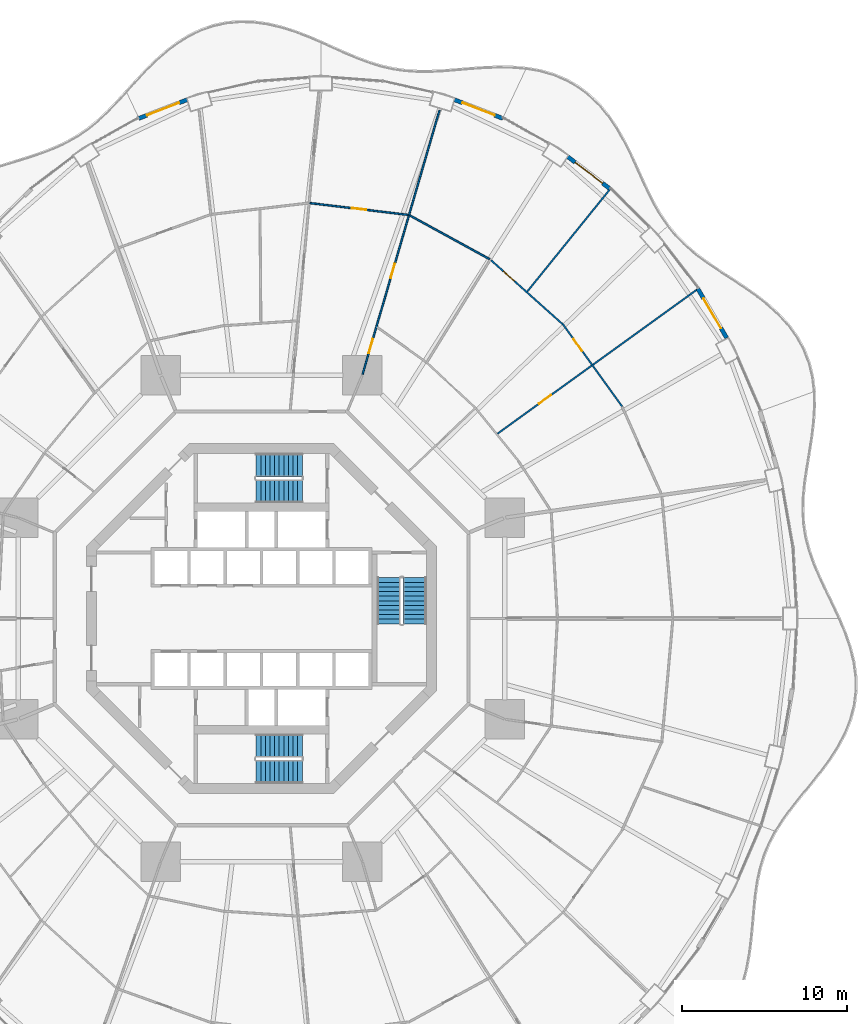
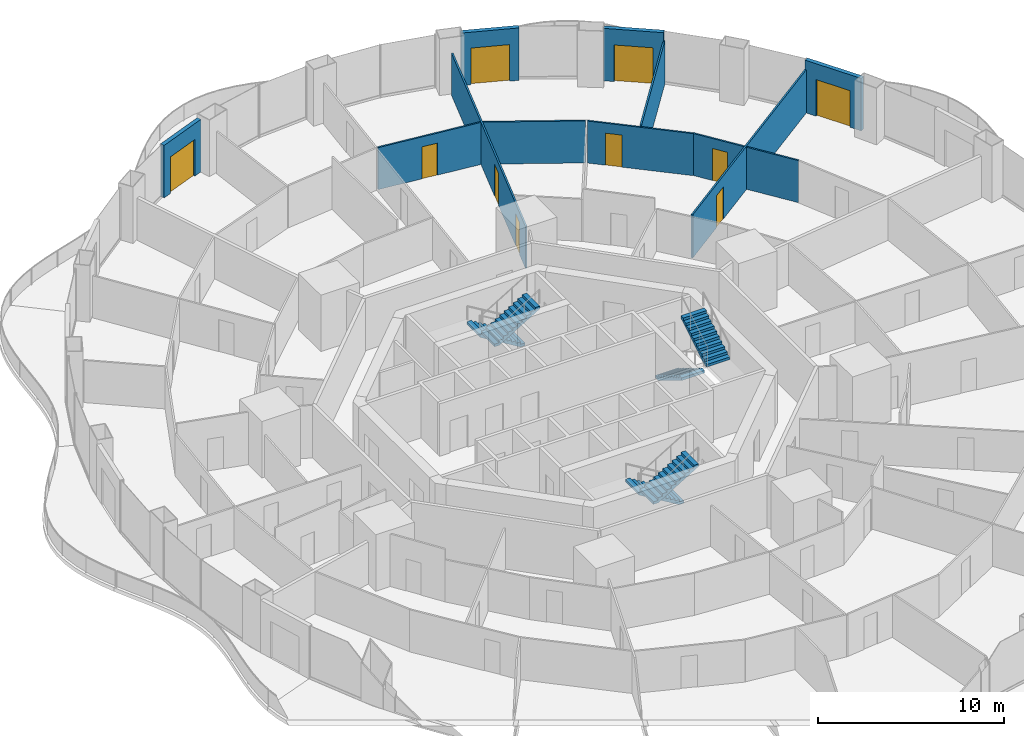
# One storey, part 18 of 21: 11 walls, 10 doors, 6 stair flights, 10 openings, 3 elements without a shape of their own.
"""IFC4 building model written with IfcOpenShell, lengths in metres."""

from ifc_helpers import new_model, si_unit, direction, frame, frame_2d, origin, place, context, subcontext, project, spatial, polyline, rectangle, outline, extrude, material, layer, layer_set, type_object, element, fill, aggregate, save


model = new_model("IFC4")

# Units and contexts
model_context = context("Model", 3, precision=1e-05, world=origin(), true_north=direction((0.0, 1.0)))
body_context = subcontext(model_context, "Body", "Model", "MODEL_VIEW")
ifc_project = project(units=[si_unit("LENGTHUNIT", "METRE"), si_unit("AREAUNIT", "SQUARE_METRE"), si_unit("VOLUMEUNIT", "CUBIC_METRE"), si_unit("PLANEANGLEUNIT", "RADIAN"), si_unit("MASSUNIT", "GRAM", prefix="KILO")], contexts=[model_context])

# Site, building, storey
site_placement = place(None, origin())
site = spatial("IfcSite", under=ifc_project, at=site_placement, CompositionType="ELEMENT")
building_placement = place(site_placement, origin())
building = spatial("IfcBuilding", under=site, at=building_placement, Name="Nagisa Residences", CompositionType="ELEMENT")
storey_placement = place(building_placement, frame((0.0, 0.0, 60.300048828125)))
storey = spatial("IfcBuildingStorey", under=building, at=storey_placement, Name="L14", CompositionType="ELEMENT", Elevation=60.300048828125)

# Wall, opening, door
ifc_material_1 = material(Name="Gypsum board on steel studs", Category="steel")
ifc_layer_1 = layer(ifc_material_1, 0.10009765625)
ifc_layer_set_1 = layer_set([ifc_layer_1], Name="Apartment partition 100")
wall_type_1 = type_object("IfcWallType", Name="Apartment partition 100", PredefinedType="PARTITIONING", material=ifc_layer_set_1)
wall_1_placement = place(storey_placement, frame((21.90771484375, 12.866455078125, 0.0), z_axis=(0.0, 0.0, 1.0), x_axis=(-0.584553256988, 0.811355341231, 0.0)))
wall_1 = element("IfcWall", 1, at=wall_1_placement, inside=storey, type_object=wall_type_1, Name="wall:L14:u22", PredefinedType="PARTITIONING", context=body_context, shape_type="SweptSolid", body=[
    extrude(rectangle(XDim=6.18408203125, YDim=0.10009765625, at=frame_2d((3.092041015625, 0.0))), origin(), (0.0, 0.0, 1.0), 2.755859375),
])
opening_1_placement = place(wall_1_placement, frame((4.163330078125, 0.0, 0.0)))
opening_1 = element("IfcOpeningElement", 2, at=opening_1_placement, cuts=wall_1, Name="Opening L14-U34", PredefinedType="OPENING", context=body_context, shape_type="SweptSolid", body=[
    extrude(rectangle(XDim=0.89990234375, YDim=2.10009765625, at=frame_2d((0.449951171875, 1.050048828125))), frame((0.0, 0.06005859375, 0.0), z_axis=(0.0, -1.0, 0.0), x_axis=(1.0, 0.0, 0.0)), (0.0, 0.0, 1.0), 0.1201171875),
])
ifc_material_2 = material(Name="Timber door set", Category="wood")
door_type_1 = type_object("IfcDoorType", Name="Apartment door 900x2100", OperationType="NOTDEFINED", PredefinedType="DOOR", material=ifc_material_2)
door_1_placement = place(opening_1_placement, frame((0.89990234375, 0.0, 0.0), x_axis=(-1.0, 0.0, 0.0)))
door_1 = element("IfcDoor", 3, at=door_1_placement, inside=storey, type_object=door_type_1, Name="Door to master bedroom, Apartment 14B", OperationType="SINGLE_SWING_LEFT", OverallHeight=2.10009765625, OverallWidth=0.89990234375, PredefinedType="DOOR", context=body_context, shape_type="SweptSolid", body=[
    extrude(rectangle(XDim=0.89990234375, YDim=2.10009765625, at=frame_2d((0.449951171875, 1.050048828125))), frame((0.0, 0.02490234375, 0.0), z_axis=(0.0, -1.0, 0.0), x_axis=(1.0, 0.0, 0.0)), (0.0, 0.0, 1.0), 0.050048828125),
])
fill(opening_1, door_1)

wall_2_placement = place(storey_placement, frame((14.328857421875, 11.22119140625, 0.0), z_axis=(0.0, 0.0, 1.0), x_axis=(0.810671130917, 0.58550176558, 0.0)))
wall_2 = element("IfcWall", 4, at=wall_2_placement, inside=storey, type_object=wall_type_1, Name="wall:L14:u23", PredefinedType="PARTITIONING", context=body_context, shape_type="SweptSolid", body=[
    extrude(rectangle(XDim=15.105712890625, YDim=0.10009765625, at=frame_2d((7.552734375, 0.0))), origin(), (0.0, 0.0, 1.0), 2.8369140625),
])
opening_2_placement = place(wall_2_placement, frame((3.10546875, 0.0, 0.0)))
opening_2 = element("IfcOpeningElement", 5, at=opening_2_placement, cuts=wall_2, Name="Opening L14-U40", PredefinedType="OPENING", context=body_context, shape_type="SweptSolid", body=[
    extrude(rectangle(XDim=0.89990234375, YDim=2.10009765625, at=frame_2d((0.449951171875, 1.050048828125))), frame((0.0, 0.06005859375, 0.0), z_axis=(0.0, -1.0, 0.0), x_axis=(1.0, 0.0, 0.0)), (0.0, 0.0, 1.0), 0.1201171875),
])
door_2_placement = place(opening_2_placement, frame((0.89990234375, 0.0, 0.0), x_axis=(-1.0, 0.0, 0.0)))
door_2 = element("IfcDoor", 6, at=door_2_placement, inside=storey, type_object=door_type_1, Name="Door to dining room, Apartment 14B", OperationType="SINGLE_SWING_LEFT", OverallHeight=2.10009765625, OverallWidth=0.89990234375, PredefinedType="DOOR", context=body_context, shape_type="SweptSolid", body=[
    extrude(rectangle(XDim=0.89990234375, YDim=2.10009765625, at=frame_2d((0.449951171875, 1.050048828125))), frame((0.0, 0.02490234375, 0.0), z_axis=(0.0, -1.0, 0.0), x_axis=(1.0, 0.0, 0.0)), (0.0, 0.0, 1.0), 0.050048828125),
])
fill(opening_2, door_2)

wall_3_placement = place(storey_placement, frame((18.28466796875, 17.876953125, 0.0), z_axis=(0.0, 0.0, 1.0), x_axis=(-0.745806142791, 0.666163041136, 0.0)))
wall_3 = element("IfcWall", 7, at=wall_3_placement, inside=storey, type_object=wall_type_1, Name="wall:L14:u26", PredefinedType="PARTITIONING", context=body_context, shape_type="SweptSolid", body=[
    extrude(rectangle(XDim=5.83056640625, YDim=0.10009765625, at=frame_2d((2.915283203125, 0.0))), origin(), (0.0, 0.0, 1.0), 2.755859375),
])
opening_3_placement = place(wall_3_placement, frame((3.9228515625, 0.0, 0.0)))
opening_3 = element("IfcOpeningElement", 8, at=opening_3_placement, cuts=wall_3, Name="Opening L14-U35", PredefinedType="OPENING", context=body_context, shape_type="SweptSolid", body=[
    extrude(rectangle(XDim=0.89990234375, YDim=2.10009765625, at=frame_2d((0.449951171875, 1.050048828125))), frame((0.0, 0.06005859375, 0.0), z_axis=(0.0, -1.0, 0.0), x_axis=(1.0, 0.0, 0.0)), (0.0, 0.0, 1.0), 0.1201171875),
])
door_3_placement = place(opening_3_placement, frame((0.89990234375, 0.0, 0.0), x_axis=(-1.0, 0.0, 0.0)))
door_3 = element("IfcDoor", 9, at=door_3_placement, inside=storey, type_object=door_type_1, Name="Door to family room, Apartment 14B", OperationType="SINGLE_SWING_RIGHT", OverallHeight=2.10009765625, OverallWidth=0.89990234375, PredefinedType="DOOR", context=body_context, shape_type="SweptSolid", body=[
    extrude(rectangle(XDim=0.89990234375, YDim=2.10009765625, at=frame_2d((0.449951171875, 1.050048828125))), frame((0.0, 0.02490234375, 0.0), z_axis=(0.0, -1.0, 0.0), x_axis=(1.0, 0.0, 0.0)), (0.0, 0.0, 1.0), 0.050048828125),
])
fill(opening_3, door_3)

# Walls
wall_4_placement = place(storey_placement, frame((16.141845703125, 19.85791015625, 0.0), z_axis=(0.0, 0.0, 1.0), x_axis=(0.628738066508, 0.777617157555, 0.0)))
element("IfcWall", 10, at=wall_4_placement, inside=storey, type_object=wall_type_1, Name="wall:L14:u27", PredefinedType="PARTITIONING", context=body_context, shape_type="SweptSolid", body=[
    extrude(rectangle(XDim=8.091064453125, YDim=0.10009765625, at=frame_2d((4.04541015625, 0.0))), origin(), (0.0, 0.0, 1.0), 2.8369140625),
])
wall_5_placement = place(storey_placement, frame((13.85498046875, 21.818359375, 0.0), z_axis=(0.0, 0.0, 1.0), x_axis=(-0.876794415294, 0.480865421203, 0.0)))
element("IfcWall", 11, at=wall_5_placement, inside=storey, type_object=wall_type_1, Name="wall:L14:u30", PredefinedType="PARTITIONING", context=body_context, shape_type="SweptSolid", body=[
    extrude(rectangle(XDim=5.5361328125, YDim=0.10009765625, at=frame_2d((2.76806640625, 0.0))), origin(), (0.0, 0.0, 1.0), 2.755859375),
])

# Wall, openings, doors
wall_6_placement = place(storey_placement, frame((6.136962890625, 14.830078125, 0.0), z_axis=(0.0, 0.0, 1.0), x_axis=(0.27985745069, 0.960041565399, 0.0)))
wall_6 = element("IfcWall", 12, at=wall_6_placement, inside=storey, type_object=wall_type_1, Name="wall:L14:u32", PredefinedType="PARTITIONING", context=body_context, shape_type="SweptSolid", body=[
    extrude(rectangle(XDim=16.705078125, YDim=0.10009765625, at=frame_2d((8.3525390625, 0.0))), origin(), (0.0, 0.0, 1.0), 2.755859375),
])
opening_4_placement = place(wall_6_placement, frame((1.333740234375, 0.0, 0.0)))
opening_4 = element("IfcOpeningElement", 13, at=opening_4_placement, cuts=wall_6, Name="Opening L14-U28", PredefinedType="OPENING", context=body_context, shape_type="SweptSolid", body=[
    extrude(rectangle(XDim=0.89990234375, YDim=2.10009765625, at=frame_2d((0.449951171875, 1.050048828125))), frame((0.0, 0.06005859375, 0.0), z_axis=(0.0, -1.0, 0.0), x_axis=(1.0, 0.0, 0.0)), (0.0, 0.0, 1.0), 0.1201171875),
])
opening_5_placement = place(wall_6_placement, frame((6.09130859375, 0.0, 0.0)))
opening_5 = element("IfcOpeningElement", 14, at=opening_5_placement, cuts=wall_6, Name="Opening L14-U31", PredefinedType="OPENING", context=body_context, shape_type="SweptSolid", body=[
    extrude(rectangle(XDim=0.89990234375, YDim=2.10009765625, at=frame_2d((0.449951171875, 1.050048828125))), frame((0.0, 0.06005859375, 0.0), z_axis=(0.0, -1.0, 0.0), x_axis=(1.0, 0.0, 0.0)), (0.0, 0.0, 1.0), 0.1201171875),
])
door_4_placement = place(opening_4_placement, frame((0.89990234375, 0.0, 0.0), x_axis=(-1.0, 0.0, 0.0)))
door_4 = element("IfcDoor", 15, at=door_4_placement, inside=storey, type_object=door_type_1, Name="Door to laundry, Apartment 14B", OperationType="SINGLE_SWING_LEFT", OverallHeight=2.10009765625, OverallWidth=0.89990234375, PredefinedType="DOOR", context=body_context, shape_type="SweptSolid", body=[
    extrude(rectangle(XDim=0.89990234375, YDim=2.10009765625, at=frame_2d((0.449951171875, 1.050048828125))), frame((0.0, 0.02490234375, 0.0), z_axis=(0.0, -1.0, 0.0), x_axis=(1.0, 0.0, 0.0)), (0.0, 0.0, 1.0), 0.050048828125),
])
fill(opening_4, door_4)
door_5_placement = place(opening_5_placement, frame((0.89990234375, 0.0, 0.0), x_axis=(-1.0, 0.0, 0.0)))
door_5 = element("IfcDoor", 16, at=door_5_placement, inside=storey, type_object=door_type_1, Name="Door to kitchen, Apartment 14B", OperationType="SINGLE_SWING_RIGHT", OverallHeight=2.10009765625, OverallWidth=0.89990234375, PredefinedType="DOOR", context=body_context, shape_type="SweptSolid", body=[
    extrude(rectangle(XDim=0.89990234375, YDim=2.10009765625, at=frame_2d((0.449951171875, 1.050048828125))), frame((0.0, 0.02490234375, 0.0), z_axis=(0.0, -1.0, 0.0), x_axis=(1.0, 0.0, 0.0)), (0.0, 0.0, 1.0), 0.050048828125),
])
fill(opening_5, door_5)

# Wall, opening, door
wall_7_placement = place(storey_placement, frame((8.907470703125, 24.510498046875, 0.0), z_axis=(0.0, 0.0, 1.0), x_axis=(-0.992836798252, 0.119478416615, 0.0)))
wall_7 = element("IfcWall", 17, at=wall_7_placement, inside=storey, type_object=wall_type_1, Name="wall:L14:u33", PredefinedType="PARTITIONING", context=body_context, shape_type="SweptSolid", body=[
    extrude(rectangle(XDim=6.009521484375, YDim=0.10009765625, at=frame_2d((3.0048828125, 0.0))), origin(), (0.0, 0.0, 1.0), 2.755859375),
])
opening_6_placement = place(wall_7_placement, frame((2.5546875, 0.0, 0.0)))
opening_6 = element("IfcOpeningElement", 18, at=opening_6_placement, cuts=wall_7, Name="Opening L14-U36", PredefinedType="OPENING", context=body_context, shape_type="SweptSolid", body=[
    extrude(rectangle(XDim=0.89990234375, YDim=2.10009765625, at=frame_2d((0.449951171875, 1.050048828125))), frame((0.0, 0.06005859375, 0.0), z_axis=(0.0, -1.0, 0.0), x_axis=(1.0, 0.0, 0.0)), (0.0, 0.0, 1.0), 0.1201171875),
])
door_6_placement = place(opening_6_placement, frame((0.89990234375, 0.0, 0.0), x_axis=(-1.0, 0.0, 0.0)))
door_6 = element("IfcDoor", 19, at=door_6_placement, inside=storey, type_object=door_type_1, Name="Door to living room, Apartment 14B", OperationType="SINGLE_SWING_LEFT", OverallHeight=2.10009765625, OverallWidth=0.89990234375, PredefinedType="DOOR", context=body_context, shape_type="SweptSolid", body=[
    extrude(rectangle(XDim=0.89990234375, YDim=2.10009765625, at=frame_2d((0.449951171875, 1.050048828125))), frame((0.0, 0.02490234375, 0.0), z_axis=(0.0, -1.0, 0.0), x_axis=(1.0, 0.0, 0.0)), (0.0, 0.0, 1.0), 0.050048828125),
])
fill(opening_6, door_6)

ifc_material_3 = material(Name="Precast concrete C40/50", Category="concrete")
ifc_layer_2 = layer(ifc_material_3, 0.25)
ifc_layer_set_2 = layer_set([ifc_layer_2], Name="BALCONY DOOR WALL 250")
wall_type_2 = type_object("IfcWallType", Name="BALCONY DOOR WALL 250", PredefinedType="SOLIDWALL", material=ifc_layer_set_2)
wall_8_placement = place(storey_placement, frame((26.49951171875, 20.02587890625, 0.0), z_axis=(0.0, 0.0, 1.0), x_axis=(0.506311160839, -0.862350861546, 0.0)))
wall_8 = element("IfcWall", 20, at=wall_8_placement, inside=storey, type_object=wall_type_2, Name="wall:L14:bay04", PredefinedType="SOLIDWALL", context=body_context, shape_type="SweptSolid", body=[
    extrude(rectangle(XDim=3.462158203125, YDim=0.25, at=frame_2d((1.73095703125, 0.0))), origin(), (0.0, 0.0, 1.0), 3.43994140625),
])
opening_7_placement = place(wall_8_placement, frame((0.68115234375, 0.0, 0.0)))
opening_7 = element("IfcOpeningElement", 21, at=opening_7_placement, cuts=wall_8, Name="Opening BD-L14-02", PredefinedType="OPENING", context=body_context, shape_type="SweptSolid", body=[
    extrude(rectangle(XDim=2.10009765625, YDim=2.39990234375, at=frame_2d((1.050048828125, 1.199951171875))), frame((0.0, 0.135009765625, 0.0), z_axis=(0.0, -1.0, 0.0), x_axis=(1.0, 0.0, 0.0)), (0.0, 0.0, 1.0), 0.27001953125),
])
ifc_material_4 = material(Name="Aluminium and clear glass", Category="aluminium")
door_type_2 = type_object("IfcDoorType", Name="BALCONY SLIDING DOOR 2100x2400", OperationType="SLIDING_TO_LEFT", PredefinedType="DOOR", material=ifc_material_4)
door_7_placement = place(opening_7_placement, origin())
door_7 = element("IfcDoor", 22, at=door_7_placement, inside=storey, type_object=door_type_2, Name="door:L14:bay04", OperationType="SLIDING_TO_LEFT", OverallHeight=2.39990234375, OverallWidth=2.10009765625, PredefinedType="DOOR", context=body_context, shape_type="SweptSolid", body=[
    extrude(rectangle(XDim=2.10009765625, YDim=2.39990234375, at=frame_2d((1.050048828125, 1.199951171875))), frame((0.0, 0.02490234375, 0.0), z_axis=(0.0, -1.0, 0.0), x_axis=(1.0, 0.0, 0.0)), (0.0, 0.0, 1.0), 0.050048828125),
])
fill(opening_7, door_7)

wall_9_placement = place(storey_placement, frame((18.58154296875, 28.0556640625, 0.0), z_axis=(0.0, 0.0, 1.0), x_axis=(0.796022293214, -0.605267303517, 0.0)))
wall_9 = element("IfcWall", 23, at=wall_9_placement, inside=storey, type_object=wall_type_2, Name="wall:L14:bay07", PredefinedType="SOLIDWALL", context=body_context, shape_type="SweptSolid", body=[
    extrude(rectangle(XDim=3.262451171875, YDim=0.25, at=frame_2d((1.63134765625, 0.0))), origin(), (0.0, 0.0, 1.0), 3.43994140625),
])
opening_8_placement = place(wall_9_placement, frame((0.5810546875, 0.0, 0.0)))
opening_8 = element("IfcOpeningElement", 24, at=opening_8_placement, cuts=wall_9, Name="Opening BD-L14-03", PredefinedType="OPENING", context=body_context, shape_type="SweptSolid", body=[
    extrude(rectangle(XDim=2.10009765625, YDim=2.39990234375, at=frame_2d((1.050048828125, 1.199951171875))), frame((0.0, 0.135009765625, 0.0), z_axis=(0.0, -1.0, 0.0), x_axis=(1.0, 0.0, 0.0)), (0.0, 0.0, 1.0), 0.27001953125),
])
door_8_placement = place(opening_8_placement, origin())
door_8 = element("IfcDoor", 25, at=door_8_placement, inside=storey, type_object=door_type_2, Name="door:L14:bay07", OperationType="SLIDING_TO_LEFT", OverallHeight=2.39990234375, OverallWidth=2.10009765625, PredefinedType="DOOR", context=body_context, shape_type="SweptSolid", body=[
    extrude(rectangle(XDim=2.10009765625, YDim=2.39990234375, at=frame_2d((1.050048828125, 1.199951171875))), frame((0.0, 0.02490234375, 0.0), z_axis=(0.0, -1.0, 0.0), x_axis=(1.0, 0.0, 0.0)), (0.0, 0.0, 1.0), 0.050048828125),
])
fill(opening_8, door_8)

wall_10_placement = place(storey_placement, frame((11.713623046875, 31.5068359375, 0.0), z_axis=(0.0, 0.0, 1.0), x_axis=(0.932809381943, -0.360370166577, 0.0)))
wall_10 = element("IfcWall", 26, at=wall_10_placement, inside=storey, type_object=wall_type_2, Name="wall:L14:bay09", PredefinedType="SOLIDWALL", context=body_context, shape_type="SweptSolid", body=[
    extrude(rectangle(XDim=3.15087890625, YDim=0.25, at=frame_2d((1.575439453125, 0.0))), origin(), (0.0, 0.0, 1.0), 3.43994140625),
])
opening_9_placement = place(wall_10_placement, frame((0.525390625, 0.0, 0.0)))
opening_9 = element("IfcOpeningElement", 27, at=opening_9_placement, cuts=wall_10, Name="Opening BD-L14-04", PredefinedType="OPENING", context=body_context, shape_type="SweptSolid", body=[
    extrude(rectangle(XDim=2.10009765625, YDim=2.39990234375, at=frame_2d((1.050048828125, 1.199951171875))), frame((0.0, 0.135009765625, 0.0), z_axis=(0.0, -1.0, 0.0), x_axis=(1.0, 0.0, 0.0)), (0.0, 0.0, 1.0), 0.27001953125),
])
door_9_placement = place(opening_9_placement, origin())
door_9 = element("IfcDoor", 28, at=door_9_placement, inside=storey, type_object=door_type_2, Name="door:L14:bay09", OperationType="SLIDING_TO_LEFT", OverallHeight=2.39990234375, OverallWidth=2.10009765625, PredefinedType="DOOR", context=body_context, shape_type="SweptSolid", body=[
    extrude(rectangle(XDim=2.10009765625, YDim=2.39990234375, at=frame_2d((1.050048828125, 1.199951171875))), frame((0.0, 0.02490234375, 0.0), z_axis=(0.0, -1.0, 0.0), x_axis=(1.0, 0.0, 0.0)), (0.0, 0.0, 1.0), 0.050048828125),
])
fill(opening_9, door_9)

wall_11_placement = place(storey_placement, frame((-7.452880859375, 30.371337890625, 0.0), z_axis=(0.0, 0.0, 1.0), x_axis=(0.932809381943, 0.360370166577, 0.0)))
wall_11 = element("IfcWall", 29, at=wall_11_placement, inside=storey, type_object=wall_type_2, Name="wall:L14:bay14", PredefinedType="SOLIDWALL", context=body_context, shape_type="SweptSolid", body=[
    extrude(rectangle(XDim=3.15087890625, YDim=0.25, at=frame_2d((1.575439453125, 0.0))), origin(), (0.0, 0.0, 1.0), 3.43994140625),
])
opening_10_placement = place(wall_11_placement, frame((0.525390625, 0.0, 0.0)))
opening_10 = element("IfcOpeningElement", 30, at=opening_10_placement, cuts=wall_11, Name="Opening BD-L14-05", PredefinedType="OPENING", context=body_context, shape_type="SweptSolid", body=[
    extrude(rectangle(XDim=2.10009765625, YDim=2.39990234375, at=frame_2d((1.050048828125, 1.199951171875))), frame((0.0, 0.135009765625, 0.0), z_axis=(0.0, -1.0, 0.0), x_axis=(1.0, 0.0, 0.0)), (0.0, 0.0, 1.0), 0.27001953125),
])
door_10_placement = place(opening_10_placement, origin())
door_10 = element("IfcDoor", 31, at=door_10_placement, inside=storey, type_object=door_type_2, Name="door:L14:bay14", OperationType="SLIDING_TO_LEFT", OverallHeight=2.39990234375, OverallWidth=2.10009765625, PredefinedType="DOOR", context=body_context, shape_type="SweptSolid", body=[
    extrude(rectangle(XDim=2.10009765625, YDim=2.39990234375, at=frame_2d((1.050048828125, 1.199951171875))), frame((0.0, 0.02490234375, 0.0), z_axis=(0.0, -1.0, 0.0), x_axis=(1.0, 0.0, 0.0)), (0.0, 0.0, 1.0), 0.050048828125),
])
fill(opening_10, door_10)

# Stair, stair flights
ifc_material_5 = material(Name="Concrete C60", Category="concrete")
stair_type = type_object("IfcStairType", Name="Exit stair", PredefinedType="HALF_TURN_STAIR", material=ifc_material_5)
stair_1_placement = place(storey_placement, origin())
stair_1 = element("IfcStair", 32, at=stair_1_placement, inside=storey, type_object=stair_type, Name="L14 Exit stair E", PredefinedType="HALF_TURN_STAIR")
ifc_material_6 = material(Name="Concrete C60", Category="concrete")
stair_flight_type = type_object("IfcStairFlightType", Name="Exit stair flight", PredefinedType="STRAIGHT", material=ifc_material_6)
stair_flight_1_placement = place(storey_placement, frame((7.737060546875, 2.47509765625, 0.0), z_axis=(0.0, 0.0, 1.0), x_axis=(0.0, -1.0, 0.0)))
stair_flight_1 = element("IfcStairFlight", 33, at=stair_flight_1_placement, type_object=stair_flight_type, Name="ST-E flight 1", NumberOfRisers=11, NumberOfTreads=10, PredefinedType="STRAIGHT", RiserHeight=0.168181818, TreadLength=0.28, context=body_context, shape_type="SweptSolid", body=[
    extrude(outline(polyline([(0.0, 0.0), (0.0, 0.168212890625), (0.280029296875, 0.168212890625), (0.280029296875, 0.33642578125), (0.56005859375, 0.33642578125), (0.56005859375, 0.504638671875), (0.840087890625, 0.504638671875), (0.840087890625, 0.672607421875), (1.1201171875, 0.672607421875), (1.1201171875, 0.8408203125), (1.39990234375, 0.8408203125), (1.39990234375, 1.009033203125), (1.679931640625, 1.009033203125), (1.679931640625, 1.17724609375), (1.9599609375, 1.17724609375), (1.9599609375, 1.345458984375), (2.239990234375, 1.345458984375), (2.239990234375, 1.513671875), (2.52001953125, 1.513671875), (2.52001953125, 1.681884765625), (2.800048828125, 1.681884765625), (2.800048828125, 1.85009765625), (2.800048828125, 1.5068359375), (0.291015625, 0.0), (0.0, 0.0)])), frame((0.0, 0.71240234375, 0.0), z_axis=(0.0, -1.0, 0.0), x_axis=(1.0, 0.0, 0.0)), (0.0, 0.0, 1.0), 1.425048828125),
])
stair_flight_2_placement = place(storey_placement, frame((9.31201171875, -0.324951171875, 1.849853515625), z_axis=(0.0, 0.0, 1.0), x_axis=(0.0, 1.0, 0.0)))
stair_flight_2 = element("IfcStairFlight", 34, at=stair_flight_2_placement, type_object=stair_flight_type, Name="ST-E flight 2", NumberOfRisers=11, NumberOfTreads=10, PredefinedType="STRAIGHT", RiserHeight=0.168181818, TreadLength=0.28, context=body_context, shape_type="SweptSolid", body=[
    extrude(outline(polyline([(0.0, 0.0), (0.0, 0.168212890625), (0.280029296875, 0.168212890625), (0.280029296875, 0.33642578125), (0.56005859375, 0.33642578125), (0.56005859375, 0.504638671875), (0.840087890625, 0.504638671875), (0.840087890625, 0.672607421875), (1.1201171875, 0.672607421875), (1.1201171875, 0.8408203125), (1.39990234375, 0.8408203125), (1.39990234375, 1.009033203125), (1.679931640625, 1.009033203125), (1.679931640625, 1.17724609375), (1.9599609375, 1.17724609375), (1.9599609375, 1.345458984375), (2.239990234375, 1.345458984375), (2.239990234375, 1.513671875), (2.52001953125, 1.513671875), (2.52001953125, 1.681884765625), (2.800048828125, 1.681884765625), (2.800048828125, 1.85009765625), (2.800048828125, 1.5068359375), (0.291015625, 0.0), (0.0, 0.0)])), frame((0.0, 0.71240234375, 0.0), z_axis=(0.0, -1.0, 0.0), x_axis=(1.0, 0.0, 0.0)), (0.0, 0.0, 1.0), 1.425048828125),
])
aggregate(stair_1, [stair_flight_1, stair_flight_2])

stair_2_placement = place(storey_placement, origin())
stair_2 = element("IfcStair", 35, at=stair_2_placement, inside=storey, type_object=stair_type, Name="L14 Exit stair N", PredefinedType="HALF_TURN_STAIR")
stair_flight_3_placement = place(storey_placement, frame((2.47509765625, 9.31201171875, 0.0), z_axis=(0.0, 0.0, 1.0), x_axis=(-1.0, 0.0, 0.0)))
stair_flight_3 = element("IfcStairFlight", 36, at=stair_flight_3_placement, type_object=stair_flight_type, Name="ST-N flight 1", NumberOfRisers=11, NumberOfTreads=10, PredefinedType="STRAIGHT", RiserHeight=0.168181818, TreadLength=0.28, context=body_context, shape_type="SweptSolid", body=[
    extrude(outline(polyline([(0.0, 0.0), (0.0, 0.168212890625), (0.280029296875, 0.168212890625), (0.280029296875, 0.33642578125), (0.56005859375, 0.33642578125), (0.56005859375, 0.504638671875), (0.840087890625, 0.504638671875), (0.840087890625, 0.672607421875), (1.1201171875, 0.672607421875), (1.1201171875, 0.8408203125), (1.39990234375, 0.8408203125), (1.39990234375, 1.009033203125), (1.679931640625, 1.009033203125), (1.679931640625, 1.17724609375), (1.9599609375, 1.17724609375), (1.9599609375, 1.345458984375), (2.239990234375, 1.345458984375), (2.239990234375, 1.513671875), (2.52001953125, 1.513671875), (2.52001953125, 1.681884765625), (2.800048828125, 1.681884765625), (2.800048828125, 1.85009765625), (2.800048828125, 1.5068359375), (0.291015625, 0.0), (0.0, 0.0)])), frame((0.0, 0.71240234375, 0.0), z_axis=(0.0, -1.0, 0.0), x_axis=(1.0, 0.0, 0.0)), (0.0, 0.0, 1.0), 1.425048828125),
])
stair_flight_4_placement = place(storey_placement, frame((-0.324951171875, 7.737060546875, 1.849853515625), z_axis=(0.0, 0.0, 1.0), x_axis=(1.0, 0.0, 0.0)))
stair_flight_4 = element("IfcStairFlight", 37, at=stair_flight_4_placement, type_object=stair_flight_type, Name="ST-N flight 2", NumberOfRisers=11, NumberOfTreads=10, PredefinedType="STRAIGHT", RiserHeight=0.168181818, TreadLength=0.28, context=body_context, shape_type="SweptSolid", body=[
    extrude(outline(polyline([(0.0, 0.0), (0.0, 0.168212890625), (0.280029296875, 0.168212890625), (0.280029296875, 0.33642578125), (0.56005859375, 0.33642578125), (0.56005859375, 0.504638671875), (0.840087890625, 0.504638671875), (0.840087890625, 0.672607421875), (1.1201171875, 0.672607421875), (1.1201171875, 0.8408203125), (1.39990234375, 0.8408203125), (1.39990234375, 1.009033203125), (1.679931640625, 1.009033203125), (1.679931640625, 1.17724609375), (1.9599609375, 1.17724609375), (1.9599609375, 1.345458984375), (2.239990234375, 1.345458984375), (2.239990234375, 1.513671875), (2.52001953125, 1.513671875), (2.52001953125, 1.681884765625), (2.800048828125, 1.681884765625), (2.800048828125, 1.85009765625), (2.800048828125, 1.5068359375), (0.291015625, 0.0), (0.0, 0.0)])), frame((0.0, 0.71240234375, 0.0), z_axis=(0.0, -1.0, 0.0), x_axis=(1.0, 0.0, 0.0)), (0.0, 0.0, 1.0), 1.425048828125),
])
aggregate(stair_2, [stair_flight_3, stair_flight_4])

stair_3_placement = place(storey_placement, origin())
stair_3 = element("IfcStair", 38, at=stair_3_placement, inside=storey, type_object=stair_type, Name="L14 Exit stair S", PredefinedType="HALF_TURN_STAIR")
stair_flight_5_placement = place(storey_placement, frame((2.47509765625, -7.737060546875, 0.0), z_axis=(0.0, 0.0, 1.0), x_axis=(-1.0, 0.0, 0.0)))
stair_flight_5 = element("IfcStairFlight", 39, at=stair_flight_5_placement, type_object=stair_flight_type, Name="ST-S flight 1", NumberOfRisers=11, NumberOfTreads=10, PredefinedType="STRAIGHT", RiserHeight=0.168181818, TreadLength=0.28, context=body_context, shape_type="SweptSolid", body=[
    extrude(outline(polyline([(0.0, 0.0), (0.0, 0.168212890625), (0.280029296875, 0.168212890625), (0.280029296875, 0.33642578125), (0.56005859375, 0.33642578125), (0.56005859375, 0.504638671875), (0.840087890625, 0.504638671875), (0.840087890625, 0.672607421875), (1.1201171875, 0.672607421875), (1.1201171875, 0.8408203125), (1.39990234375, 0.8408203125), (1.39990234375, 1.009033203125), (1.679931640625, 1.009033203125), (1.679931640625, 1.17724609375), (1.9599609375, 1.17724609375), (1.9599609375, 1.345458984375), (2.239990234375, 1.345458984375), (2.239990234375, 1.513671875), (2.52001953125, 1.513671875), (2.52001953125, 1.681884765625), (2.800048828125, 1.681884765625), (2.800048828125, 1.85009765625), (2.800048828125, 1.5068359375), (0.291015625, 0.0), (0.0, 0.0)])), frame((0.0, 0.71240234375, 0.0), z_axis=(0.0, -1.0, 0.0), x_axis=(1.0, 0.0, 0.0)), (0.0, 0.0, 1.0), 1.425048828125),
])
stair_flight_6_placement = place(storey_placement, frame((-0.324951171875, -9.31201171875, 1.849853515625), z_axis=(0.0, 0.0, 1.0), x_axis=(1.0, 0.0, 0.0)))
stair_flight_6 = element("IfcStairFlight", 40, at=stair_flight_6_placement, type_object=stair_flight_type, Name="ST-S flight 2", NumberOfRisers=11, NumberOfTreads=10, PredefinedType="STRAIGHT", RiserHeight=0.168181818, TreadLength=0.28, context=body_context, shape_type="SweptSolid", body=[
    extrude(outline(polyline([(0.0, 0.0), (0.0, 0.168212890625), (0.280029296875, 0.168212890625), (0.280029296875, 0.33642578125), (0.56005859375, 0.33642578125), (0.56005859375, 0.504638671875), (0.840087890625, 0.504638671875), (0.840087890625, 0.672607421875), (1.1201171875, 0.672607421875), (1.1201171875, 0.8408203125), (1.39990234375, 0.8408203125), (1.39990234375, 1.009033203125), (1.679931640625, 1.009033203125), (1.679931640625, 1.17724609375), (1.9599609375, 1.17724609375), (1.9599609375, 1.345458984375), (2.239990234375, 1.345458984375), (2.239990234375, 1.513671875), (2.52001953125, 1.513671875), (2.52001953125, 1.681884765625), (2.800048828125, 1.681884765625), (2.800048828125, 1.85009765625), (2.800048828125, 1.5068359375), (0.291015625, 0.0), (0.0, 0.0)])), frame((0.0, 0.71240234375, 0.0), z_axis=(0.0, -1.0, 0.0), x_axis=(1.0, 0.0, 0.0)), (0.0, 0.0, 1.0), 1.425048828125),
])
aggregate(stair_3, [stair_flight_5, stair_flight_6])

save(model, "model.ifc")
